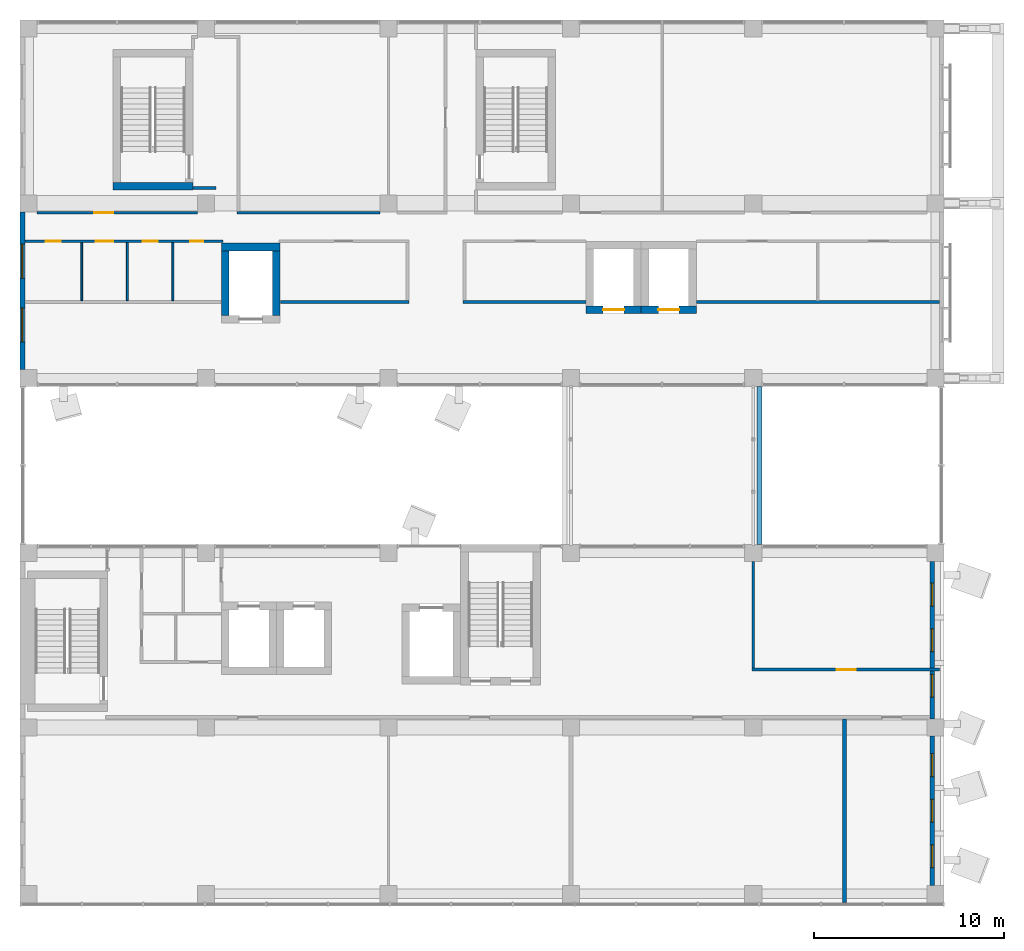
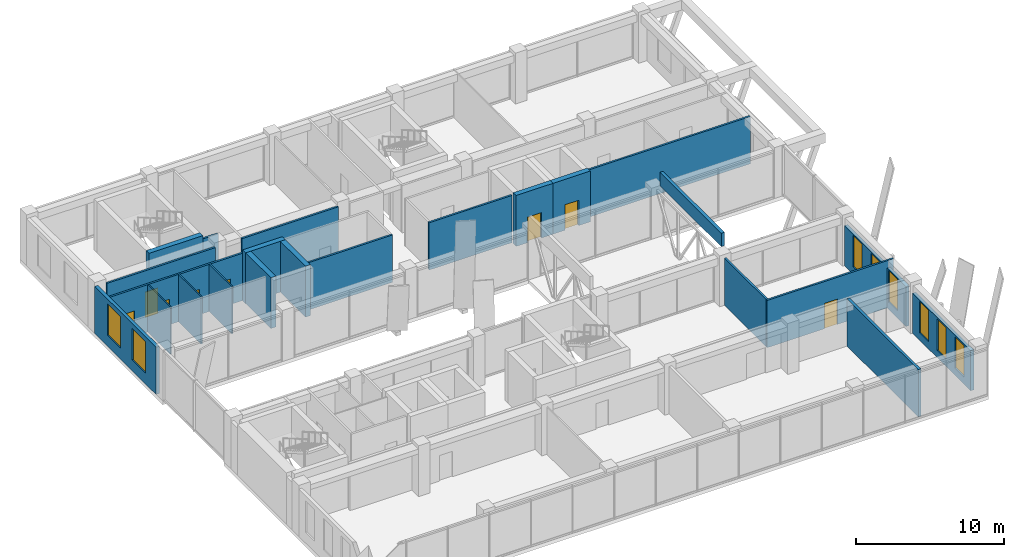
# One storey, part 29 of 38: 23 walls, 8 doors, 8 windows, 16 openings.
"""IFC4 building model written with IfcOpenShell, lengths in metres."""

from ifc_helpers import new_model, si_unit, direction, frame, frame_2d, origin, place, context, subcontext, project, spatial, rectangle, extrude, material, layer, layer_set, layer_usage, type_object, element, fill, save


model = new_model("IFC4")

# Units and contexts
model_context = context("Model", 3, precision=1e-05, world=origin(), true_north=direction((0.0, 1.0)))
body_context = subcontext(model_context, "Body", "Model", "MODEL_VIEW")
ifc_project = project(units=[si_unit("LENGTHUNIT", "METRE"), si_unit("AREAUNIT", "SQUARE_METRE"), si_unit("VOLUMEUNIT", "CUBIC_METRE"), si_unit("PLANEANGLEUNIT", "RADIAN"), si_unit("MASSUNIT", "GRAM", prefix="KILO")], contexts=[model_context])

# Site, building, storey
site_placement = place(None, origin())
site = spatial("IfcSite", under=ifc_project, at=site_placement, CompositionType="ELEMENT")
building_placement = place(site_placement, origin())
building = spatial("IfcBuilding", under=site, at=building_placement, Name="Nzadi Deep Aquarium and Research Tower", CompositionType="ELEMENT")
storey_placement = place(building_placement, frame((0.0, 0.0, 48.699951171875)))
storey = spatial("IfcBuildingStorey", under=building, at=storey_placement, Name="L09", CompositionType="ELEMENT", Elevation=48.699951171875)

# Wall, openings, windows
ifc_material_1 = material(Name="Concrete C35/45", Category="concrete")
ifc_layer_1 = layer(ifc_material_1, 0.14990234375, Category="cladding")
ifc_material_2 = material(Name="Mineral wool insulation")
ifc_layer_2 = layer(ifc_material_2, 0.070068359375, Category="insulation")
ifc_material_3 = material(Name="Gypsum board lining")
ifc_layer_3 = layer(ifc_material_3, 0.030029296875, Category="lining")
ifc_layer_set_1 = layer_set([ifc_layer_1, ifc_layer_2, ifc_layer_3], Name="Concrete C35/45, Mineral wool insulation, Gypsum board lining")
ifc_layer_usage_1 = layer_usage(ifc_layer_set_1, "AXIS2", "POSITIVE", -0.125)
wall_type_1 = type_object("IfcWallType", Name="End wall board-formed concrete 250, 3.30 m high", PredefinedType="ELEMENTEDWALL", material=ifc_layer_set_1)
wall_1_placement = place(storey_placement, frame((47.824951171875, 9.64990234375, 0.0), z_axis=(0.0, 0.0, 1.0), x_axis=(0.0, 1.0, 0.0)))
wall_1 = element("IfcWall", 1, at=wall_1_placement, inside=storey, type_object=wall_type_1, material=ifc_layer_usage_1, Name="End wall blade A east L09", PredefinedType="ELEMENTEDWALL", context=body_context, shape_type="SweptSolid", body=[
    extrude(rectangle(XDim=8.300048828125, YDim=0.25, at=frame_2d((4.14990234375, 0.0))), origin(), (0.0, 0.0, 1.0), 3.300048828125),
])
opening_1_placement = place(wall_1_placement, frame((1.14990234375, 0.0, 0.60009765625)))
opening_1 = element("IfcOpeningElement", 2, at=opening_1_placement, cuts=wall_1, Name="Opening WN05", PredefinedType="OPENING", context=body_context, shape_type="SweptSolid", body=[
    extrude(rectangle(XDim=1.199951171875, YDim=2.60009765625, at=frame_2d((0.60009765625, 1.300048828125))), frame((0.0, 0.135009765625, 0.0), z_axis=(0.0, -1.0, 0.0), x_axis=(1.0, 0.0, 0.0)), (0.0, 0.0, 1.0), 0.27001953125),
])
opening_2_placement = place(wall_1_placement, frame((3.550048828125, 0.0, 0.60009765625)))
opening_2 = element("IfcOpeningElement", 3, at=opening_2_placement, cuts=wall_1, Name="Opening WN05", PredefinedType="OPENING", context=body_context, shape_type="SweptSolid", body=[
    extrude(rectangle(XDim=1.199951171875, YDim=2.60009765625, at=frame_2d((0.60009765625, 1.300048828125))), frame((0.0, 0.135009765625, 0.0), z_axis=(0.0, -1.0, 0.0), x_axis=(1.0, 0.0, 0.0)), (0.0, 0.0, 1.0), 0.27001953125),
])
opening_3_placement = place(wall_1_placement, frame((5.949951171875, 0.0, 0.60009765625)))
opening_3 = element("IfcOpeningElement", 4, at=opening_3_placement, cuts=wall_1, Name="Opening WN05", PredefinedType="OPENING", context=body_context, shape_type="SweptSolid", body=[
    extrude(rectangle(XDim=1.199951171875, YDim=2.60009765625, at=frame_2d((0.60009765625, 1.300048828125))), frame((0.0, 0.135009765625, 0.0), z_axis=(0.0, -1.0, 0.0), x_axis=(1.0, 0.0, 0.0)), (0.0, 0.0, 1.0), 0.27001953125),
])
ifc_material_4 = material(Name="Aluminium window, sage tint glazing", Category="aluminium")
window_type_1 = type_object("IfcWindowType", Name="Slot window 1200x2600 sill 600", PartitioningType="SINGLE_PANEL", PredefinedType="WINDOW", material=ifc_material_4)
window_1_placement = place(opening_1_placement, origin())
window_1 = element("IfcWindow", 5, at=window_1_placement, inside=storey, type_object=window_type_1, Name="Slot window L09 AE", OverallHeight=2.60009765625, OverallWidth=1.199951171875, PartitioningType="SINGLE_PANEL", PredefinedType="WINDOW", context=body_context, shape_type="SweptSolid", body=[
    extrude(rectangle(XDim=1.199951171875, YDim=2.60009765625, at=frame_2d((0.60009765625, 1.300048828125))), frame((0.0, 0.030029296875, 0.0), z_axis=(0.0, -1.0, 0.0), x_axis=(1.0, 0.0, 0.0)), (0.0, 0.0, 1.0), 0.06005859375),
])
fill(opening_1, window_1)
window_2_placement = place(opening_2_placement, origin())
window_2 = element("IfcWindow", 6, at=window_2_placement, inside=storey, type_object=window_type_1, Name="Slot window L09 AE", OverallHeight=2.60009765625, OverallWidth=1.199951171875, PartitioningType="SINGLE_PANEL", PredefinedType="WINDOW", context=body_context, shape_type="SweptSolid", body=[
    extrude(rectangle(XDim=1.199951171875, YDim=2.60009765625, at=frame_2d((0.60009765625, 1.300048828125))), frame((0.0, 0.030029296875, 0.0), z_axis=(0.0, -1.0, 0.0), x_axis=(1.0, 0.0, 0.0)), (0.0, 0.0, 1.0), 0.06005859375),
])
fill(opening_2, window_2)
window_3_placement = place(opening_3_placement, origin())
window_3 = element("IfcWindow", 7, at=window_3_placement, inside=storey, type_object=window_type_1, Name="Slot window L09 AE", OverallHeight=2.60009765625, OverallWidth=1.199951171875, PartitioningType="SINGLE_PANEL", PredefinedType="WINDOW", context=body_context, shape_type="SweptSolid", body=[
    extrude(rectangle(XDim=1.199951171875, YDim=2.60009765625, at=frame_2d((0.60009765625, 1.300048828125))), frame((0.0, 0.030029296875, 0.0), z_axis=(0.0, -1.0, 0.0), x_axis=(1.0, 0.0, 0.0)), (0.0, 0.0, 1.0), 0.06005859375),
])
fill(opening_3, window_3)

ifc_material_5 = material(Name="Graphite aluminium shingle", Category="aluminium")
ifc_layer_4 = layer(ifc_material_5, 0.050048828125, Category="cladding")
ifc_layer_5 = layer(ifc_material_1, 0.10009765625, Category="cladding")
ifc_layer_6 = layer(ifc_material_2, 0.070068359375, Category="insulation")
ifc_layer_7 = layer(ifc_material_3, 0.030029296875, Category="lining")
ifc_layer_set_2 = layer_set([ifc_layer_4, ifc_layer_5, ifc_layer_6, ifc_layer_7], Name="Graphite aluminium shingle, Concrete C35/45, Mineral wool insulation, Gypsum board lining")
ifc_layer_usage_2 = layer_usage(ifc_layer_set_2, "AXIS2", "POSITIVE", -0.125)
wall_type_2 = type_object("IfcWallType", Name="End wall shingle over board-formed concrete 250", PredefinedType="ELEMENTEDWALL", material=ifc_layer_set_2)
wall_2_placement = place(storey_placement, frame((-0.074462890625, 36.35009765625, 0.0), z_axis=(0.0, 0.0, 1.0), x_axis=(0.0, -1.0, 0.0)))
wall_2 = element("IfcWall", 8, at=wall_2_placement, inside=storey, type_object=wall_type_2, material=ifc_layer_usage_2, Name="End wall blade B west L09", PredefinedType="ELEMENTEDWALL", context=body_context, shape_type="SweptSolid", body=[
    extrude(rectangle(XDim=8.300048828125, YDim=0.25, at=frame_2d((4.14990234375, 0.0))), origin(), (0.0, 0.0, 1.0), 3.900146484375),
])
opening_4_placement = place(wall_2_placement, frame((5.050048828125, 0.0, 0.89990234375)))
opening_4 = element("IfcOpeningElement", 9, at=opening_4_placement, cuts=wall_2, Name="Opening WN01", PredefinedType="OPENING", context=body_context, shape_type="SweptSolid", body=[
    extrude(rectangle(XDim=1.800048828125, YDim=2.60009765625, at=frame_2d((0.89990234375, 1.300048828125))), frame((0.0, 0.135009765625, 0.0), z_axis=(0.0, -1.0, 0.0), x_axis=(1.0, 0.0, 0.0)), (0.0, 0.0, 1.0), 0.27001953125),
])
opening_5_placement = place(wall_2_placement, frame((1.699951171875, 0.0, 0.89990234375)))
opening_5 = element("IfcOpeningElement", 10, at=opening_5_placement, cuts=wall_2, Name="Opening WN01", PredefinedType="OPENING", context=body_context, shape_type="SweptSolid", body=[
    extrude(rectangle(XDim=1.800048828125, YDim=2.60009765625, at=frame_2d((0.89990234375, 1.300048828125))), frame((0.0, 0.135009765625, 0.0), z_axis=(0.0, -1.0, 0.0), x_axis=(1.0, 0.0, 0.0)), (0.0, 0.0, 1.0), 0.27001953125),
])
ifc_material_6 = material(Name="Aluminium window, sage tint glazing", Category="aluminium")
window_type_2 = type_object("IfcWindowType", Name="Slot window 1800x2600 sill 900", PartitioningType="SINGLE_PANEL", PredefinedType="WINDOW", material=ifc_material_6)
window_4_placement = place(opening_4_placement, origin())
window_4 = element("IfcWindow", 11, at=window_4_placement, inside=storey, type_object=window_type_2, Name="Slot window L09 BW", OverallHeight=2.60009765625, OverallWidth=1.800048828125, PartitioningType="SINGLE_PANEL", PredefinedType="WINDOW", context=body_context, shape_type="SweptSolid", body=[
    extrude(rectangle(XDim=1.800048828125, YDim=2.60009765625, at=frame_2d((0.89990234375, 1.300048828125))), frame((0.0, 0.030029296875, 0.0), z_axis=(0.0, -1.0, 0.0), x_axis=(1.0, 0.0, 0.0)), (0.0, 0.0, 1.0), 0.06005859375),
])
fill(opening_4, window_4)
window_5_placement = place(opening_5_placement, origin())
window_5 = element("IfcWindow", 12, at=window_5_placement, inside=storey, type_object=window_type_2, Name="Slot window L09 BW", OverallHeight=2.60009765625, OverallWidth=1.800048828125, PartitioningType="SINGLE_PANEL", PredefinedType="WINDOW", context=body_context, shape_type="SweptSolid", body=[
    extrude(rectangle(XDim=1.800048828125, YDim=2.60009765625, at=frame_2d((0.89990234375, 1.300048828125))), frame((0.0, 0.030029296875, 0.0), z_axis=(0.0, -1.0, 0.0), x_axis=(1.0, 0.0, 0.0)), (0.0, 0.0, 1.0), 0.06005859375),
])
fill(opening_5, window_5)

ifc_layer_8 = layer(ifc_material_5, 0.050048828125, Category="cladding")
ifc_layer_9 = layer(ifc_material_1, 0.10009765625, Category="cladding")
ifc_layer_10 = layer(ifc_material_2, 0.070068359375, Category="insulation")
ifc_layer_11 = layer(ifc_material_3, 0.030029296875, Category="lining")
ifc_layer_set_3 = layer_set([ifc_layer_8, ifc_layer_9, ifc_layer_10, ifc_layer_11], Name="Graphite aluminium shingle, Concrete C35/45, Mineral wool insulation, Gypsum board lining")
ifc_layer_usage_3 = layer_usage(ifc_layer_set_3, "AXIS2", "POSITIVE", -0.125)
wall_type_3 = type_object("IfcWallType", Name="End wall shingle over board-formed concrete 250, 3.30 m high", PredefinedType="ELEMENTEDWALL", material=ifc_layer_set_3)
wall_3_placement = place(storey_placement, frame((47.824951171875, 0.89990234375, 0.0), z_axis=(0.0, 0.0, 1.0), x_axis=(0.0, 1.0, 0.0)))
wall_3 = element("IfcWall", 13, at=wall_3_placement, inside=storey, type_object=wall_type_3, material=ifc_layer_usage_3, Name="End wall blade A east L09", PredefinedType="ELEMENTEDWALL", context=body_context, shape_type="SweptSolid", body=[
    extrude(rectangle(XDim=7.85009765625, YDim=0.25, at=frame_2d((3.925048828125, 0.0))), origin(), (0.0, 0.0, 1.0), 3.300048828125),
])
opening_6_placement = place(wall_3_placement, frame((0.925048828125, 0.0, 0.60009765625)))
opening_6 = element("IfcOpeningElement", 14, at=opening_6_placement, cuts=wall_3, Name="Opening WN05", PredefinedType="OPENING", context=body_context, shape_type="SweptSolid", body=[
    extrude(rectangle(XDim=1.199951171875, YDim=2.60009765625, at=frame_2d((0.60009765625, 1.300048828125))), frame((0.0, 0.135009765625, 0.0), z_axis=(0.0, -1.0, 0.0), x_axis=(1.0, 0.0, 0.0)), (0.0, 0.0, 1.0), 0.27001953125),
])
opening_7_placement = place(wall_3_placement, frame((3.324951171875, 0.0, 0.60009765625)))
opening_7 = element("IfcOpeningElement", 15, at=opening_7_placement, cuts=wall_3, Name="Opening WN05", PredefinedType="OPENING", context=body_context, shape_type="SweptSolid", body=[
    extrude(rectangle(XDim=1.199951171875, YDim=2.60009765625, at=frame_2d((0.60009765625, 1.300048828125))), frame((0.0, 0.135009765625, 0.0), z_axis=(0.0, -1.0, 0.0), x_axis=(1.0, 0.0, 0.0)), (0.0, 0.0, 1.0), 0.27001953125),
])
opening_8_placement = place(wall_3_placement, frame((5.72509765625, 0.0, 0.60009765625)))
opening_8 = element("IfcOpeningElement", 16, at=opening_8_placement, cuts=wall_3, Name="Opening WN05", PredefinedType="OPENING", context=body_context, shape_type="SweptSolid", body=[
    extrude(rectangle(XDim=1.199951171875, YDim=2.60009765625, at=frame_2d((0.60009765625, 1.300048828125))), frame((0.0, 0.135009765625, 0.0), z_axis=(0.0, -1.0, 0.0), x_axis=(1.0, 0.0, 0.0)), (0.0, 0.0, 1.0), 0.27001953125),
])
window_6_placement = place(opening_6_placement, origin())
window_6 = element("IfcWindow", 17, at=window_6_placement, inside=storey, type_object=window_type_1, Name="Slot window L09 AE", OverallHeight=2.60009765625, OverallWidth=1.199951171875, PartitioningType="SINGLE_PANEL", PredefinedType="WINDOW", context=body_context, shape_type="SweptSolid", body=[
    extrude(rectangle(XDim=1.199951171875, YDim=2.60009765625, at=frame_2d((0.60009765625, 1.300048828125))), frame((0.0, 0.030029296875, 0.0), z_axis=(0.0, -1.0, 0.0), x_axis=(1.0, 0.0, 0.0)), (0.0, 0.0, 1.0), 0.06005859375),
])
fill(opening_6, window_6)
window_7_placement = place(opening_7_placement, origin())
window_7 = element("IfcWindow", 18, at=window_7_placement, inside=storey, type_object=window_type_1, Name="Slot window L09 AE", OverallHeight=2.60009765625, OverallWidth=1.199951171875, PartitioningType="SINGLE_PANEL", PredefinedType="WINDOW", context=body_context, shape_type="SweptSolid", body=[
    extrude(rectangle(XDim=1.199951171875, YDim=2.60009765625, at=frame_2d((0.60009765625, 1.300048828125))), frame((0.0, 0.030029296875, 0.0), z_axis=(0.0, -1.0, 0.0), x_axis=(1.0, 0.0, 0.0)), (0.0, 0.0, 1.0), 0.06005859375),
])
fill(opening_7, window_7)
window_8_placement = place(opening_8_placement, origin())
window_8 = element("IfcWindow", 19, at=window_8_placement, inside=storey, type_object=window_type_1, Name="Slot window L09 AE", OverallHeight=2.60009765625, OverallWidth=1.199951171875, PartitioningType="SINGLE_PANEL", PredefinedType="WINDOW", context=body_context, shape_type="SweptSolid", body=[
    extrude(rectangle(XDim=1.199951171875, YDim=2.60009765625, at=frame_2d((0.60009765625, 1.300048828125))), frame((0.0, 0.030029296875, 0.0), z_axis=(0.0, -1.0, 0.0), x_axis=(1.0, 0.0, 0.0)), (0.0, 0.0, 1.0), 0.06005859375),
])
fill(opening_8, window_8)

# Walls
ifc_layer_12 = layer(ifc_material_1, 0.25, Category="structure")
ifc_layer_set_4 = layer_set([ifc_layer_12], Name="Concrete C35/45")
ifc_layer_usage_4 = layer_usage(ifc_layer_set_4, "AXIS2", "POSITIVE", -0.125)
wall_type_4 = type_object("IfcWallType", Name="Parapet board-formed concrete 250 link bridge roof", PredefinedType="PARAPET", material=ifc_layer_set_4)
wall_4_placement = place(storey_placement, frame((38.72509765625, 18.85009765625, 4.199951171875), z_axis=(0.0, 0.0, 1.0), x_axis=(0.0, 1.0, 0.0)))
element("IfcWall", 20, at=wall_4_placement, inside=storey, type_object=wall_type_4, material=ifc_layer_usage_4, Name="Parapet", PredefinedType="PARAPET", context=body_context, shape_type="SweptSolid", body=[
    extrude(rectangle(XDim=8.2998046875, YDim=0.25, at=frame_2d((4.14990234375, 0.0))), origin(), (0.0, 0.0, 1.0), 1.10009765625),
])
ifc_material_7 = material(Name="Blockwork masonry", Category="masonry")
ifc_layer_13 = layer(ifc_material_7, 0.10009765625)
ifc_layer_set_5 = layer_set([ifc_layer_13], Name="Blockwork masonry")
wall_type_5 = type_object("IfcWallType", Name="Partition 100 EI 30", PredefinedType="PARTITIONING", material=ifc_layer_set_5)
for number, where, z_axis, x_axis, name in (
    (21, (3.050048828125, 31.675048828125, 0.0), (0.0, 0.0, 1.0), (0.0, 1.0, 0.0), "W-Z1-L09-P004"),
    (22, (5.449951171875, 31.675048828125, 0.0), (0.0, 0.0, 1.0), (0.0, 1.0, 0.0), "W-Z1-L09-P007"),
    (23, (7.85009765625, 31.675048828125, 0.0), (0.0, 0.0, 1.0), (0.0, 1.0, 0.0), "W-Z1-L09-P011"),
):
    element("IfcWall", number, at=place(storey_placement, frame(where, z_axis=z_axis, x_axis=x_axis)), inside=storey, type_object=wall_type_5, Name=name, PredefinedType="PARTITIONING", context=body_context, shape_type="SweptSolid", body=[
        extrude(rectangle(XDim=3.050048828125, YDim=0.10009765625, at=frame_2d((1.52490234375, 0.0))), origin(), (0.0, 0.0, 1.0), 3.900146484375),
    ])

# Wall, openings, doors
ifc_material_8 = material(Name="Blockwork masonry", Category="masonry")
ifc_layer_14 = layer(ifc_material_8, 0.14990234375)
ifc_layer_set_6 = layer_set([ifc_layer_14], Name="Blockwork masonry")
wall_type_6 = type_object("IfcWallType", Name="Partition 150 EI 60", PredefinedType="PARTITIONING", material=ifc_layer_set_6)
wall_5_placement = place(storey_placement, frame((0.055908203125, 34.800048828125, 0.0), z_axis=(0.0, 0.0, 1.0), x_axis=(1.0, 0.0, 0.0)))
wall_5 = element("IfcWall", 24, at=wall_5_placement, inside=storey, type_object=wall_type_6, Name="W-Z1-L09-P002", PredefinedType="PARTITIONING", context=body_context, shape_type="SweptSolid", body=[
    extrude(rectangle(XDim=10.419189453125, YDim=0.14990234375, at=frame_2d((5.20947265625, 0.0))), origin(), (0.0, 0.0, 1.0), 3.900146484375),
])
opening_9_placement = place(wall_5_placement, frame((1.093994140625, 0.0, 0.0)))
opening_9 = element("IfcOpeningElement", 25, at=opening_9_placement, cuts=wall_5, Name="Opening D101011", PredefinedType="OPENING", context=body_context, shape_type="SweptSolid", body=[
    extrude(rectangle(XDim=0.800048828125, YDim=2.10009765625, at=frame_2d((0.39990234375, 1.050048828125))), frame((0.0, 0.0849609375, 0.0), z_axis=(0.0, -1.0, 0.0), x_axis=(1.0, 0.0, 0.0)), (0.0, 0.0, 1.0), 0.169921875),
])
opening_10_placement = place(wall_5_placement, frame((3.743896484375, 0.0, 0.0)))
opening_10 = element("IfcOpeningElement", 26, at=opening_10_placement, cuts=wall_5, Name="Opening D101012", PredefinedType="OPENING", context=body_context, shape_type="SweptSolid", body=[
    extrude(rectangle(XDim=0.89990234375, YDim=2.10009765625, at=frame_2d((0.449951171875, 1.050048828125))), frame((0.0, 0.0849609375, 0.0), z_axis=(0.0, -1.0, 0.0), x_axis=(1.0, 0.0, 0.0)), (0.0, 0.0, 1.0), 0.169921875),
])
opening_11_placement = place(wall_5_placement, frame((6.194091796875, 0.0, 0.0)))
opening_11 = element("IfcOpeningElement", 27, at=opening_11_placement, cuts=wall_5, Name="Opening D101013", PredefinedType="OPENING", context=body_context, shape_type="SweptSolid", body=[
    extrude(rectangle(XDim=0.800048828125, YDim=2.10009765625, at=frame_2d((0.39990234375, 1.050048828125))), frame((0.0, 0.0849609375, 0.0), z_axis=(0.0, -1.0, 0.0), x_axis=(1.0, 0.0, 0.0)), (0.0, 0.0, 1.0), 0.169921875),
])
opening_12_placement = place(wall_5_placement, frame((8.694091796875, 0.0, 0.0)))
opening_12 = element("IfcOpeningElement", 28, at=opening_12_placement, cuts=wall_5, Name="Opening D101014", PredefinedType="OPENING", context=body_context, shape_type="SweptSolid", body=[
    extrude(rectangle(XDim=0.699951171875, YDim=2.10009765625, at=frame_2d((0.35009765625, 1.050048828125))), frame((0.0, 0.0849609375, 0.0), z_axis=(0.0, -1.0, 0.0), x_axis=(1.0, 0.0, 0.0)), (0.0, 0.0, 1.0), 0.169921875),
])
ifc_material_9 = material(Name="Fire-rated steel door", Category="steel")
ifc_layer_15 = layer(ifc_material_9, 0.050048828125)
ifc_layer_set_7 = layer_set([ifc_layer_15], Name="Fire-rated steel door")
door_type_1 = type_object("IfcDoorType", Name="Door 700x2100 EI 60 single", OperationType="SINGLE_SWING_LEFT", PredefinedType="DOOR", material=ifc_layer_set_7)
door_1_placement = place(opening_12_placement, origin())
door_1 = element("IfcDoor", 29, at=door_1_placement, inside=storey, type_object=door_type_1, Name="D101014", OperationType="SINGLE_SWING_LEFT", OverallHeight=2.10009765625, OverallWidth=0.699951171875, PredefinedType="DOOR", context=body_context, shape_type="SweptSolid", body=[
    extrude(rectangle(XDim=0.699951171875, YDim=2.10009765625, at=frame_2d((0.35009765625, 1.050048828125))), frame((0.0, 0.02490234375, 0.0), z_axis=(0.0, -1.0, 0.0), x_axis=(1.0, 0.0, 0.0)), (0.0, 0.0, 1.0), 0.050048828125),
])
fill(opening_12, door_1)
ifc_material_10 = material(Name="Fire-rated steel door", Category="steel")
ifc_layer_16 = layer(ifc_material_10, 0.050048828125)
ifc_layer_set_8 = layer_set([ifc_layer_16], Name="Fire-rated steel door")
door_type_2 = type_object("IfcDoorType", Name="Door 800x2100 EI 60 single", OperationType="SINGLE_SWING_LEFT", PredefinedType="DOOR", material=ifc_layer_set_8)
door_2_placement = place(opening_9_placement, origin())
door_2 = element("IfcDoor", 30, at=door_2_placement, inside=storey, type_object=door_type_2, Name="D101011", OperationType="SINGLE_SWING_RIGHT", OverallHeight=2.10009765625, OverallWidth=0.800048828125, PredefinedType="DOOR", context=body_context, shape_type="SweptSolid", body=[
    extrude(rectangle(XDim=0.800048828125, YDim=2.10009765625, at=frame_2d((0.39990234375, 1.050048828125))), frame((0.0, 0.02490234375, 0.0), z_axis=(0.0, -1.0, 0.0), x_axis=(1.0, 0.0, 0.0)), (0.0, 0.0, 1.0), 0.050048828125),
])
fill(opening_9, door_2)
door_3_placement = place(opening_11_placement, origin())
door_3 = element("IfcDoor", 31, at=door_3_placement, inside=storey, type_object=door_type_2, Name="D101013", OperationType="SINGLE_SWING_RIGHT", OverallHeight=2.10009765625, OverallWidth=0.800048828125, PredefinedType="DOOR", context=body_context, shape_type="SweptSolid", body=[
    extrude(rectangle(XDim=0.800048828125, YDim=2.10009765625, at=frame_2d((0.39990234375, 1.050048828125))), frame((0.0, 0.02490234375, 0.0), z_axis=(0.0, -1.0, 0.0), x_axis=(1.0, 0.0, 0.0)), (0.0, 0.0, 1.0), 0.050048828125),
])
fill(opening_11, door_3)
ifc_material_11 = material(Name="Fire-rated steel door", Category="steel")
ifc_layer_17 = layer(ifc_material_11, 0.050048828125)
ifc_layer_set_9 = layer_set([ifc_layer_17], Name="Fire-rated steel door")
door_type_3 = type_object("IfcDoorType", Name="Door 900x2100 EI 60 single", OperationType="SINGLE_SWING_LEFT", PredefinedType="DOOR", material=ifc_layer_set_9)
door_4_placement = place(opening_10_placement, origin())
door_4 = element("IfcDoor", 32, at=door_4_placement, inside=storey, type_object=door_type_3, Name="D101012", OperationType="SINGLE_SWING_LEFT", OverallHeight=2.10009765625, OverallWidth=0.89990234375, PredefinedType="DOOR", context=body_context, shape_type="SweptSolid", body=[
    extrude(rectangle(XDim=0.89990234375, YDim=2.10009765625, at=frame_2d((0.449951171875, 1.050048828125))), frame((0.0, 0.02490234375, 0.0), z_axis=(0.0, -1.0, 0.0), x_axis=(1.0, 0.0, 0.0)), (0.0, 0.0, 1.0), 0.050048828125),
])
fill(opening_10, door_4)

# Wall, opening, door
wall_6_placement = place(storey_placement, frame((0.699951171875, 36.300048828125, 0.0), z_axis=(0.0, 0.0, 1.0), x_axis=(1.0, 0.0, 0.0)))
wall_6 = element("IfcWall", 33, at=wall_6_placement, inside=storey, type_object=wall_type_6, Name="W-Z1-L09-P003", PredefinedType="PARTITIONING", context=body_context, shape_type="SweptSolid", body=[
    extrude(rectangle(XDim=8.449951171875, YDim=0.14990234375, at=frame_2d((4.22509765625, 0.0))), origin(), (0.0, 0.0, 1.0), 3.900146484375),
])
opening_13_placement = place(wall_6_placement, frame((3.0, 0.0, 0.0)))
opening_13 = element("IfcOpeningElement", 34, at=opening_13_placement, cuts=wall_6, Name="Opening D101019", PredefinedType="OPENING", context=body_context, shape_type="SweptSolid", body=[
    extrude(rectangle(XDim=1.0, YDim=2.10009765625, at=frame_2d((0.5, 1.050048828125))), frame((0.0, 0.0849609375, 0.0), z_axis=(0.0, -1.0, 0.0), x_axis=(1.0, 0.0, 0.0)), (0.0, 0.0, 1.0), 0.169921875),
])
ifc_material_12 = material(Name="Fire-rated steel door", Category="steel")
ifc_layer_18 = layer(ifc_material_12, 0.050048828125)
ifc_layer_set_10 = layer_set([ifc_layer_18], Name="Fire-rated steel door")
door_type_4 = type_object("IfcDoorType", Name="Door 1000x2100 EI 60 single", OperationType="SINGLE_SWING_LEFT", PredefinedType="DOOR", material=ifc_layer_set_10)
door_5_placement = place(opening_13_placement, origin())
door_5 = element("IfcDoor", 35, at=door_5_placement, inside=storey, type_object=door_type_4, Name="D101019", OperationType="SINGLE_SWING_RIGHT", OverallHeight=2.10009765625, OverallWidth=1.0, PredefinedType="DOOR", context=body_context, shape_type="SweptSolid", body=[
    extrude(rectangle(XDim=1.0, YDim=2.10009765625, at=frame_2d((0.5, 1.050048828125))), frame((0.0, 0.02490234375, 0.0), z_axis=(0.0, -1.0, 0.0), x_axis=(1.0, 0.0, 0.0)), (0.0, 0.0, 1.0), 0.050048828125),
])
fill(opening_13, door_5)

# Walls
wall_7_placement = place(storey_placement, frame((8.906005859375, 37.60009765625, 0.0), z_axis=(0.0, 0.0, 1.0), x_axis=(1.0, 0.0, 0.0)))
element("IfcWall", 36, at=wall_7_placement, inside=storey, type_object=wall_type_6, Name="W-Z1-L09-P016", PredefinedType="PARTITIONING", context=body_context, shape_type="SweptSolid", body=[
    extrude(rectangle(XDim=1.218994140625, YDim=0.14990234375, at=frame_2d((0.609375, 0.0))), origin(), (0.0, 0.0, 1.0), 3.900146484375),
])
wall_8_placement = place(storey_placement, frame((11.22509765625, 36.300048828125, 0.0), z_axis=(0.0, 0.0, 1.0), x_axis=(1.0, 0.0, 0.0)))
element("IfcWall", 37, at=wall_8_placement, inside=storey, type_object=wall_type_6, Name="W-Z1-L09-P019", PredefinedType="PARTITIONING", context=body_context, shape_type="SweptSolid", body=[
    extrude(rectangle(XDim=7.52490234375, YDim=0.14990234375, at=frame_2d((3.762451171875, 0.0))), origin(), (0.0, 0.0, 1.0), 3.900146484375),
])
wall_9_placement = place(storey_placement, frame((13.506103515625, 31.60009765625, 0.0), z_axis=(0.0, 0.0, 1.0), x_axis=(1.0, 0.0, 0.0)))
element("IfcWall", 38, at=wall_9_placement, inside=storey, type_object=wall_type_6, Name="W-Z1-L09-P022", PredefinedType="PARTITIONING", context=body_context, shape_type="SweptSolid", body=[
    extrude(rectangle(XDim=6.768798828125, YDim=0.14990234375, at=frame_2d((3.38427734375, 0.0))), origin(), (0.0, 0.0, 1.0), 3.900146484375),
])
wall_10_placement = place(storey_placement, frame((23.125, 31.60009765625, 0.0), z_axis=(0.0, 0.0, 1.0), x_axis=(1.0, 0.0, 0.0)))
element("IfcWall", 39, at=wall_10_placement, inside=storey, type_object=wall_type_6, Name="W-Z1-L09-P028", PredefinedType="PARTITIONING", context=body_context, shape_type="SweptSolid", body=[
    extrude(rectangle(XDim=6.468994140625, YDim=0.14990234375, at=frame_2d((3.234375, 0.0))), origin(), (0.0, 0.0, 1.0), 3.900146484375),
])
wall_11_placement = place(storey_placement, frame((35.406005859375, 31.60009765625, 0.0), z_axis=(0.0, 0.0, 1.0), x_axis=(1.0, 0.0, 0.0)))
element("IfcWall", 40, at=wall_11_placement, inside=storey, type_object=wall_type_6, Name="W-Z1-L09-P037", PredefinedType="PARTITIONING", context=body_context, shape_type="SweptSolid", body=[
    extrude(rectangle(XDim=12.7880859375, YDim=0.14990234375, at=frame_2d((6.39404296875, 0.0))), origin(), (0.0, 0.0, 1.0), 3.900146484375),
])

# Wall, opening, door
wall_12_placement = place(storey_placement, frame((38.324951171875, 12.25, 0.0), z_axis=(0.0, 0.0, 1.0), x_axis=(1.0, 0.0, 0.0)))
wall_12 = element("IfcWall", 41, at=wall_12_placement, inside=storey, type_object=wall_type_6, Name="W-Z1-L09-P039", PredefinedType="PARTITIONING", context=body_context, shape_type="SweptSolid", body=[
    extrude(rectangle(XDim=9.869140625, YDim=0.14990234375, at=frame_2d((4.9345703125, 0.0))), origin(), (0.0, 0.0, 1.0), 3.900146484375),
])
opening_14_placement = place(wall_12_placement, frame((4.47509765625, 0.0, 0.0)))
opening_14 = element("IfcOpeningElement", 42, at=opening_14_placement, cuts=wall_12, Name="Opening D101010", PredefinedType="OPENING", context=body_context, shape_type="SweptSolid", body=[
    extrude(rectangle(XDim=1.0, YDim=2.10009765625, at=frame_2d((0.5, 1.050048828125))), frame((0.0, 0.0849609375, 0.0), z_axis=(0.0, -1.0, 0.0), x_axis=(1.0, 0.0, 0.0)), (0.0, 0.0, 1.0), 0.169921875),
])
door_6_placement = place(opening_14_placement, origin())
door_6 = element("IfcDoor", 43, at=door_6_placement, inside=storey, type_object=door_type_4, Name="D101010", OperationType="SINGLE_SWING_RIGHT", OverallHeight=2.10009765625, OverallWidth=1.0, PredefinedType="DOOR", context=body_context, shape_type="SweptSolid", body=[
    extrude(rectangle(XDim=1.0, YDim=2.10009765625, at=frame_2d((0.5, 1.050048828125))), frame((0.0, 0.02490234375, 0.0), z_axis=(0.0, -1.0, 0.0), x_axis=(1.0, 0.0, 0.0)), (0.0, 0.0, 1.0), 0.050048828125),
])
fill(opening_14, door_6)

# Walls
wall_13_placement = place(storey_placement, frame((38.39990234375, 12.324951171875, 0.0), z_axis=(0.0, 0.0, 1.0), x_axis=(0.0, 1.0, 0.0)))
element("IfcWall", 44, at=wall_13_placement, inside=storey, type_object=wall_type_6, Name="W-Z1-L09-P040", PredefinedType="PARTITIONING", context=body_context, shape_type="SweptSolid", body=[
    extrude(rectangle(XDim=5.625, YDim=0.14990234375, at=frame_2d((2.8125, 0.0))), origin(), (0.0, 0.0, 1.0), 3.900146484375),
])
ifc_material_13 = material(Name="Blockwork masonry", Category="masonry")
ifc_layer_19 = layer(ifc_material_13, 0.199951171875)
ifc_layer_set_11 = layer_set([ifc_layer_19], Name="Blockwork masonry")
wall_type_7 = type_object("IfcWallType", Name="Partition 200 EI 120", PredefinedType="PARTITIONING", material=ifc_layer_set_11)
wall_14_placement = place(storey_placement, frame((43.199951171875, 0.006103515625, 0.0), z_axis=(0.0, 0.0, 1.0), x_axis=(0.0, 1.0, 0.0)))
element("IfcWall", 45, at=wall_14_placement, inside=storey, type_object=wall_type_7, Name="W-Z1-L09-P043", PredefinedType="PARTITIONING", context=body_context, shape_type="SweptSolid", body=[
    extrude(rectangle(XDim=9.643798828125, YDim=0.199951171875, at=frame_2d((4.82177734375, 0.0))), origin(), (0.0, 0.0, 1.0), 3.900146484375),
])
ifc_material_14 = material(Name="Concrete C35/45", Category="concrete")
ifc_layer_20 = layer(ifc_material_14, 0.39990234375)
ifc_layer_set_12 = layer_set([ifc_layer_20], Name="Concrete C35/45")
wall_type_8 = type_object("IfcWallType", Name="RC core wall 400", PredefinedType="SHEAR", material=ifc_layer_set_12)
wall_15_placement = place(storey_placement, frame((4.699951171875, 37.699951171875, 0.0), z_axis=(0.0, 0.0, 1.0), x_axis=(1.0, 0.0, 0.0)))
element("IfcWall", 46, at=wall_15_placement, inside=storey, type_object=wall_type_8, Name="W-CORE-ST-Z1-NW-L09-S", PredefinedType="SHEAR", context=body_context, shape_type="SweptSolid", body=[
    extrude(rectangle(XDim=4.199951171875, YDim=0.39990234375, at=frame_2d((2.10009765625, 0.0))), origin(), (0.0, 0.0, 1.0), 4.199951171875),
])
wall_16_placement = place(storey_placement, frame((10.39990234375, 34.5, 0.0), z_axis=(0.0, 0.0, 1.0), x_axis=(1.0, 0.0, 0.0)))
element("IfcWall", 47, at=wall_16_placement, inside=storey, type_object=wall_type_8, Name="W-CORE-FL2-L09-N", PredefinedType="SHEAR", context=body_context, shape_type="SweptSolid", body=[
    extrude(rectangle(XDim=3.10009765625, YDim=0.39990234375, at=frame_2d((1.550048828125, 0.0))), origin(), (0.0, 0.0, 1.0), 4.199951171875),
])
for number, where, z_axis, x_axis, name in (
    (48, (10.60009765625, 30.89990234375, 0.0), (0.0, 0.0, 1.0), (0.0, 1.0, 0.0), "W-CORE-FL2-L09-W"),
    (49, (13.300048828125, 30.89990234375, 0.0), (0.0, 0.0, 1.0), (0.0, 1.0, 0.0), "W-CORE-FL2-L09-E"),
):
    element("IfcWall", number, at=place(storey_placement, frame(where, z_axis=z_axis, x_axis=x_axis)), inside=storey, type_object=wall_type_8, Name=name, PredefinedType="SHEAR", context=body_context, shape_type="SweptSolid", body=[
        extrude(rectangle(XDim=3.400146484375, YDim=0.39990234375, at=frame_2d((1.7001953125, 0.0))), origin(), (0.0, 0.0, 1.0), 4.199951171875),
    ])

# Wall, opening, door
wall_17_placement = place(storey_placement, frame((29.60009765625, 31.199951171875, 0.0), z_axis=(0.0, 0.0, 1.0), x_axis=(1.0, 0.0, 0.0)))
wall_17 = element("IfcWall", 50, at=wall_17_placement, inside=storey, type_object=wall_type_8, Name="W-CORE-TL3-L09-S", PredefinedType="SHEAR", context=body_context, shape_type="SweptSolid", body=[
    extrude(rectangle(XDim=2.89990234375, YDim=0.39990234375, at=frame_2d((1.449951171875, 0.0))), origin(), (0.0, 0.0, 1.0), 4.199951171875),
])
opening_15_placement = place(wall_17_placement, frame((0.89990234375, 0.0, 0.0)))
opening_15 = element("IfcOpeningElement", 51, at=opening_15_placement, cuts=wall_17, Name="Opening LD-TL3-L09", PredefinedType="OPENING", context=body_context, shape_type="SweptSolid", body=[
    extrude(rectangle(XDim=1.10009765625, YDim=2.10009765625, at=frame_2d((0.550048828125, 1.050048828125))), frame((0.0, 0.2099609375, 0.0), z_axis=(0.0, -1.0, 0.0), x_axis=(1.0, 0.0, 0.0)), (0.0, 0.0, 1.0), 0.419921875),
])
ifc_material_15 = material(Name="Stainless steel 1.4301", Category="steel")
door_type_5 = type_object("IfcDoorType", Name="LANDING DOOR 1100x2100", OperationType="DOUBLE_DOOR_SLIDING", PredefinedType="DOOR", material=ifc_material_15)
door_7_placement = place(opening_15_placement, origin())
door_7 = element("IfcDoor", 52, at=door_7_placement, inside=storey, type_object=door_type_5, Name="Landing door TL3 L09", OperationType="DOUBLE_DOOR_SLIDING", OverallHeight=2.10009765625, OverallWidth=1.10009765625, PredefinedType="DOOR", context=body_context, shape_type="SweptSolid", body=[
    extrude(rectangle(XDim=1.10009765625, YDim=2.10009765625, at=frame_2d((0.550048828125, 1.050048828125))), frame((0.0, 0.02490234375, 0.0), z_axis=(0.0, -1.0, 0.0), x_axis=(1.0, 0.0, 0.0)), (0.0, 0.0, 1.0), 0.050048828125),
])
fill(opening_15, door_7)

wall_18_placement = place(storey_placement, frame((32.5, 31.199951171875, 0.0), z_axis=(0.0, 0.0, 1.0), x_axis=(1.0, 0.0, 0.0)))
wall_18 = element("IfcWall", 53, at=wall_18_placement, inside=storey, type_object=wall_type_8, Name="W-CORE-TL4-L09-S", PredefinedType="SHEAR", context=body_context, shape_type="SweptSolid", body=[
    extrude(rectangle(XDim=2.89990234375, YDim=0.39990234375, at=frame_2d((1.449951171875, 0.0))), origin(), (0.0, 0.0, 1.0), 4.199951171875),
])
opening_16_placement = place(wall_18_placement, frame((0.89990234375, 0.0, 0.0)))
opening_16 = element("IfcOpeningElement", 54, at=opening_16_placement, cuts=wall_18, Name="Opening LD-TL4-L09", PredefinedType="OPENING", context=body_context, shape_type="SweptSolid", body=[
    extrude(rectangle(XDim=1.10009765625, YDim=2.10009765625, at=frame_2d((0.550048828125, 1.050048828125))), frame((0.0, 0.2099609375, 0.0), z_axis=(0.0, -1.0, 0.0), x_axis=(1.0, 0.0, 0.0)), (0.0, 0.0, 1.0), 0.419921875),
])
door_8_placement = place(opening_16_placement, origin())
door_8 = element("IfcDoor", 55, at=door_8_placement, inside=storey, type_object=door_type_5, Name="Landing door TL4 L09", OperationType="DOUBLE_DOOR_SLIDING", OverallHeight=2.10009765625, OverallWidth=1.10009765625, PredefinedType="DOOR", context=body_context, shape_type="SweptSolid", body=[
    extrude(rectangle(XDim=1.10009765625, YDim=2.10009765625, at=frame_2d((0.550048828125, 1.050048828125))), frame((0.0, 0.02490234375, 0.0), z_axis=(0.0, -1.0, 0.0), x_axis=(1.0, 0.0, 0.0)), (0.0, 0.0, 1.0), 0.050048828125),
])
fill(opening_16, door_8)

save(model, "model.ifc")
